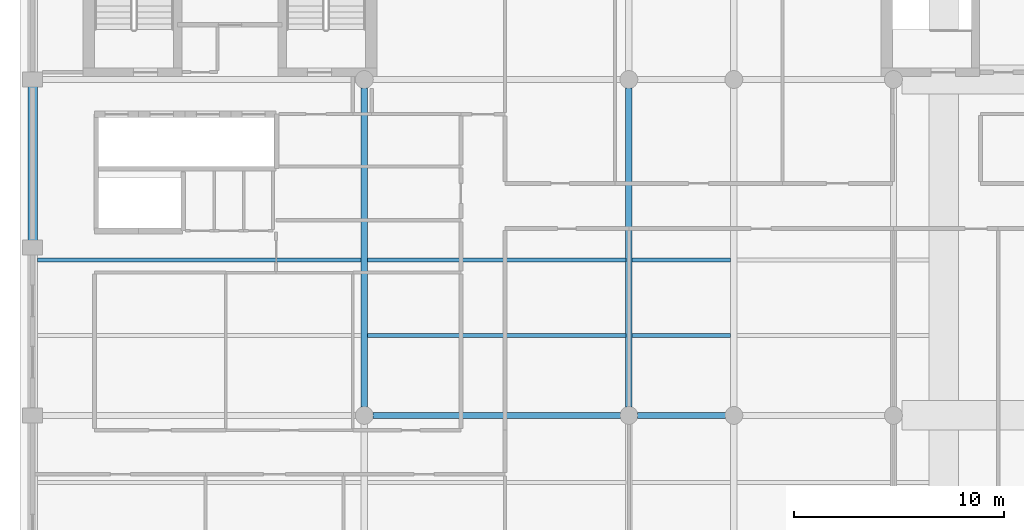
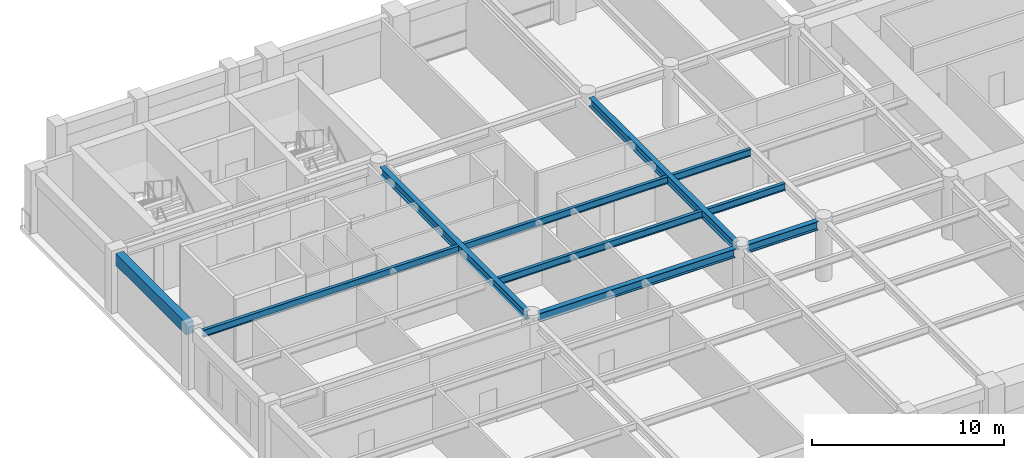
# One storey, part 3 of 14: 10 beams.
"""IFC4 building model written with IfcOpenShell, lengths in metres."""

from ifc_helpers import new_model, si_unit, direction, frame, origin, origin_2d, place, context, subcontext, project, spatial, rectangle, i_section, extrude, material, material_profile, profile_set, type_object, element, save


model = new_model("IFC4")

# Units and contexts
model_context = context("Model", 3, precision=1e-05, world=origin(), true_north=direction((0.0, 1.0)))
body_context = subcontext(model_context, "Body", "Model", "MODEL_VIEW")
ifc_project = project(units=[si_unit("LENGTHUNIT", "METRE"), si_unit("AREAUNIT", "SQUARE_METRE"), si_unit("VOLUMEUNIT", "CUBIC_METRE"), si_unit("PLANEANGLEUNIT", "RADIAN"), si_unit("MASSUNIT", "GRAM", prefix="KILO")], contexts=[model_context])

# Site, building, storey
site_placement = place(None, origin())
site = spatial("IfcSite", under=ifc_project, at=site_placement, CompositionType="ELEMENT")
building_placement = place(site_placement, origin())
building = spatial("IfcBuilding", under=site, at=building_placement, Name="Sulina Concourse Tower", CompositionType="ELEMENT")
storey_placement = place(building_placement, frame((0.0, 0.0, 285.0)))
storey = spatial("IfcBuildingStorey", under=building, at=storey_placement, Name="L69", CompositionType="ELEMENT", Elevation=285.0)

# Beams
ifc_material_1 = material(Name="Steel S355", Category="steel")
ifc_material_profile_1 = material_profile(ifc_material_1, i_section(OverallWidth=0.18994140625, OverallDepth=0.449951171875, WebThickness=0.009521484375, FlangeThickness=0.0146484375, at=origin_2d()), Name="IPE 450")
ifc_profile_set_1 = profile_set([ifc_material_profile_1], Name="Steel S355")
beam_type_1 = type_object("IfcBeamType", Name="Composite Floor Joist IPE450", PredefinedType="JOIST", material=ifc_profile_set_1)
beam_1_placement = place(storey_placement, frame((16.550048828125, 21.800048828125, 3.550048828125), z_axis=(1.0, 0.0, 0.0), x_axis=(0.0, 1.0, 0.0)))
element("IfcBeam", 1, at=beam_1_placement, inside=storey, type_object=beam_type_1, Name="FJ-J22-2-L69", PredefinedType="JOIST", context=body_context, shape_type="SweptSolid", body=[
    extrude(i_section(OverallWidth=0.18994140625, OverallDepth=0.449951171875, WebThickness=0.009521484375, FlangeThickness=0.0146484375, at=origin_2d()), origin(), (0.0, 0.0, 1.0), 12.300048828125),
])
beam_2_placement = place(storey_placement, frame((29.14990234375, 21.800048828125, 3.550048828125), z_axis=(1.0, 0.0, 0.0), x_axis=(0.0, 1.0, 0.0)))
element("IfcBeam", 2, at=beam_2_placement, inside=storey, type_object=beam_type_1, Name="FJ-J22-3-L69", PredefinedType="JOIST", context=body_context, shape_type="SweptSolid", body=[
    extrude(i_section(OverallWidth=0.18994140625, OverallDepth=0.449951171875, WebThickness=0.009521484375, FlangeThickness=0.0146484375, at=origin_2d()), origin(), (0.0, 0.0, 1.0), 4.7001953125),
])
beam_3_placement = place(storey_placement, frame((0.824951171875, 25.39990234375, 3.550048828125), z_axis=(1.0, 0.0, 0.0), x_axis=(0.0, 1.0, 0.0)))
element("IfcBeam", 3, at=beam_3_placement, inside=storey, type_object=beam_type_1, Name="FJ-J25-1-L69", PredefinedType="JOIST", context=body_context, shape_type="SweptSolid", body=[
    extrude(i_section(OverallWidth=0.18994140625, OverallDepth=0.449951171875, WebThickness=0.009521484375, FlangeThickness=0.0146484375, at=origin_2d()), origin(), (0.0, 0.0, 1.0), 15.425048828125),
])
beam_4_placement = place(storey_placement, frame((16.550048828125, 25.39990234375, 3.550048828125), z_axis=(1.0, 0.0, 0.0), x_axis=(0.0, 1.0, 0.0)))
element("IfcBeam", 4, at=beam_4_placement, inside=storey, type_object=beam_type_1, Name="FJ-J25-2-L69", PredefinedType="JOIST", context=body_context, shape_type="SweptSolid", body=[
    extrude(i_section(OverallWidth=0.18994140625, OverallDepth=0.449951171875, WebThickness=0.009521484375, FlangeThickness=0.0146484375, at=origin_2d()), origin(), (0.0, 0.0, 1.0), 12.300048828125),
])
beam_5_placement = place(storey_placement, frame((29.14990234375, 25.39990234375, 3.550048828125), z_axis=(1.0, 0.0, 0.0), x_axis=(0.0, 1.0, 0.0)))
element("IfcBeam", 5, at=beam_5_placement, inside=storey, type_object=beam_type_1, Name="FJ-J25-3-L69", PredefinedType="JOIST", context=body_context, shape_type="SweptSolid", body=[
    extrude(i_section(OverallWidth=0.18994140625, OverallDepth=0.449951171875, WebThickness=0.009521484375, FlangeThickness=0.0146484375, at=origin_2d()), origin(), (0.0, 0.0, 1.0), 4.7001953125),
])
ifc_material_2 = material(Name="Steel S355", Category="steel")
ifc_material_profile_2 = material_profile(ifc_material_2, i_section(OverallWidth=0.300048828125, OverallDepth=0.550048828125, WebThickness=0.014892578125, FlangeThickness=0.029052734375, at=origin_2d()), Name="HE 550 B")
ifc_profile_set_2 = profile_set([ifc_material_profile_2], Name="Steel S355")
beam_type_2 = type_object("IfcBeamType", Name="Floor Primary Girder Zone 4 HE550B", PredefinedType="BEAM", material=ifc_profile_set_2)
beam_6_placement = place(storey_placement, frame((16.804931640625, 18.0, 3.5), z_axis=(1.0, 0.0, 0.0), x_axis=(0.0, 1.0, 0.0)))
element("IfcBeam", 6, at=beam_6_placement, inside=storey, type_object=beam_type_2, Name="FG-EW2-L69", PredefinedType="BEAM", context=body_context, shape_type="SweptSolid", body=[
    extrude(i_section(OverallWidth=0.300048828125, OverallDepth=0.550048828125, WebThickness=0.014892578125, FlangeThickness=0.029052734375, at=origin_2d()), origin(), (0.0, 0.0, 1.0), 11.7900390625),
])
beam_7_placement = place(storey_placement, frame((29.405029296875, 18.0, 3.5), z_axis=(1.0, 0.0, 0.0), x_axis=(0.0, 1.0, 0.0)))
element("IfcBeam", 7, at=beam_7_placement, inside=storey, type_object=beam_type_2, Name="FG-EW3-L69", PredefinedType="BEAM", context=body_context, shape_type="SweptSolid", body=[
    extrude(i_section(OverallWidth=0.300048828125, OverallDepth=0.550048828125, WebThickness=0.014892578125, FlangeThickness=0.029052734375, at=origin_2d()), origin(), (0.0, 0.0, 1.0), 4.18994140625),
])
for number, where, z_axis, x_axis, name in (
    (8, (16.39990234375, 18.405029296875, 3.5), (0.0, 1.0, 0.0), (-1.0, 0.0, 0.0), "FG-NSB-16-L69"),
    (9, (29.0, 18.405029296875, 3.5), (0.0, 1.0, 0.0), (-1.0, 0.0, 0.0), "FG-NSB-29-L69"),
):
    element("IfcBeam", number, at=place(storey_placement, frame(where, z_axis=z_axis, x_axis=x_axis)), inside=storey, type_object=beam_type_2, Name=name, PredefinedType="BEAM", context=body_context, shape_type="SweptSolid", body=[
        extrude(i_section(OverallWidth=0.300048828125, OverallDepth=0.550048828125, WebThickness=0.014892578125, FlangeThickness=0.029052734375, at=origin_2d()), origin(), (0.0, 0.0, 1.0), 15.18994140625),
    ])
ifc_material_3 = material(Name="Precast concrete C50/60", Category="concrete")
ifc_material_profile_3 = material_profile(ifc_material_3, rectangle(XDim=0.449951171875, YDim=0.75, at=origin_2d()), Name="RC 450x750")
ifc_profile_set_3 = profile_set([ifc_material_profile_3], Name="Precast concrete C50/60")
beam_type_3 = type_object("IfcBeamType", Name="Upper Precast Spandrel Edge Beam 450x750", PredefinedType="BEAM", material=ifc_profile_set_3)
beam_8_placement = place(storey_placement, frame((0.60009765625, 26.330078125, 3.39990234375), z_axis=(0.0, 1.0, 0.0), x_axis=(-1.0, 0.0, 0.0)))
element("IfcBeam", 10, at=beam_8_placement, inside=storey, type_object=beam_type_3, Name="SP-W4-L69", PredefinedType="BEAM", context=body_context, shape_type="SweptSolid", body=[
    extrude(rectangle(XDim=0.449951171875, YDim=0.75, at=origin_2d()), origin(), (0.0, 0.0, 1.0), 7.33984375),
])

save(model, "model.ifc")
